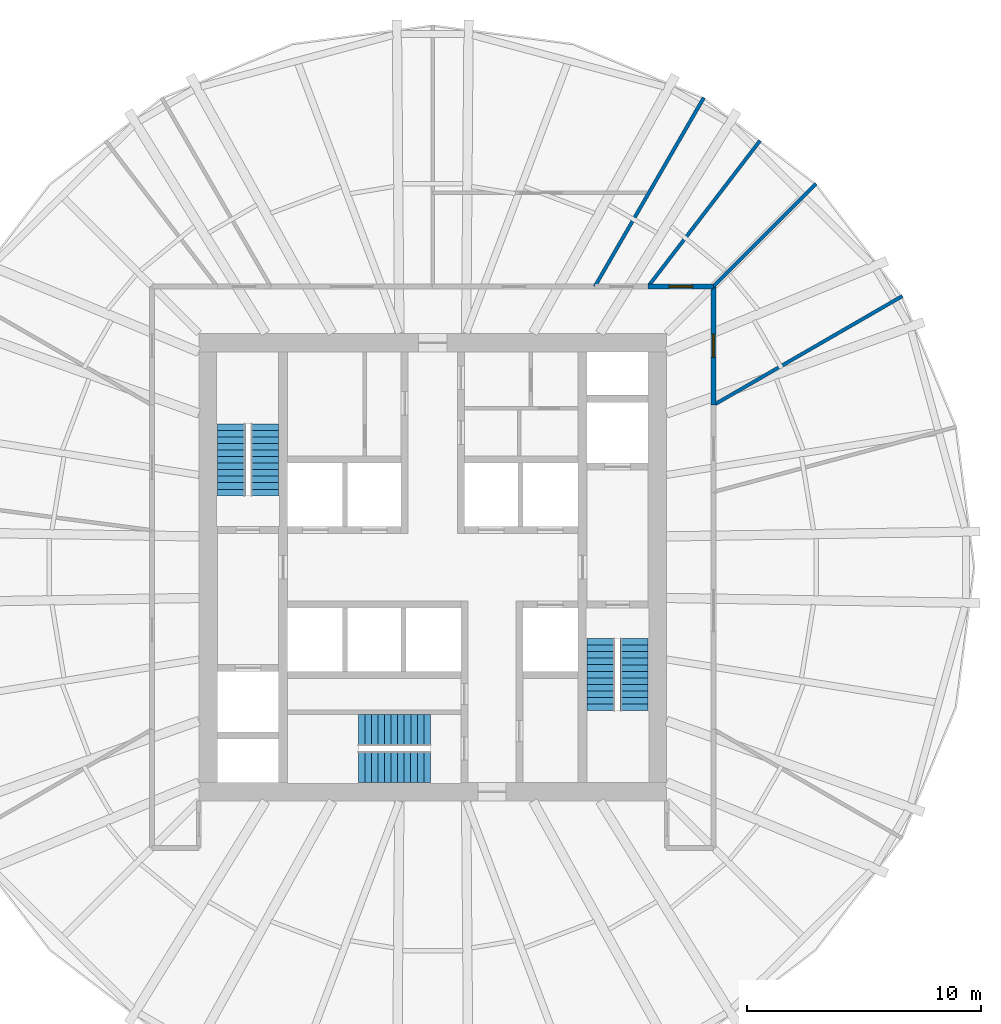
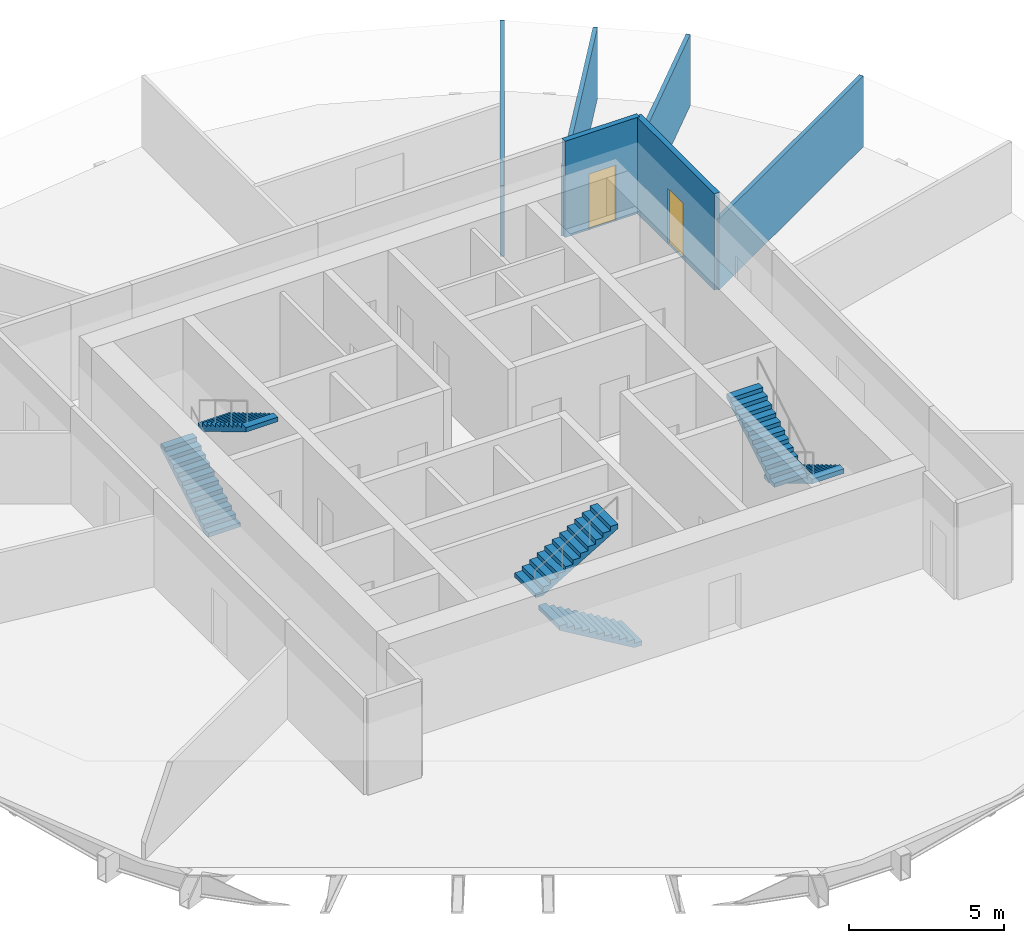
# One storey, part 5 of 6: 6 stair flights, 6 walls, 2 doors, 2 openings, 3 elements without a shape of their own.
"""IFC4 building model written with IfcOpenShell, lengths in metres."""

from ifc_helpers import new_model, si_unit, direction, frame, frame_2d, origin, place, context, subcontext, project, spatial, polyline, rectangle, outline, extrude, material, layer, layer_set, type_object, element, fill, aggregate, save


model = new_model("IFC4")

# Units and contexts
model_context = context("Model", 3, precision=1e-05, world=origin(), true_north=direction((0.0, 1.0)))
body_context = subcontext(model_context, "Body", "Model", "MODEL_VIEW")
ifc_project = project(units=[si_unit("LENGTHUNIT", "METRE"), si_unit("AREAUNIT", "SQUARE_METRE"), si_unit("VOLUMEUNIT", "CUBIC_METRE"), si_unit("PLANEANGLEUNIT", "RADIAN"), si_unit("MASSUNIT", "GRAM", prefix="KILO")], contexts=[model_context])

# Site, building, storey
site_placement = place(None, origin())
site = spatial("IfcSite", under=ifc_project, at=site_placement, CompositionType="ELEMENT")
building_placement = place(site_placement, origin())
building = spatial("IfcBuilding", under=site, at=building_placement, Name="Golbaran Civic Tower", CompositionType="ELEMENT")
storey_placement = place(building_placement, frame((0.0, 0.0, 49.0)))
storey = spatial("IfcBuildingStorey", under=building, at=storey_placement, Name="L11", CompositionType="ELEMENT", Elevation=49.0)

# Wall, opening, door
ifc_material_1 = material(Name="Gypsum board on steel studs, fire-rated", Category="steel")
ifc_layer_1 = layer(ifc_material_1, 0.199951171875, Name="Gypsum board on steel studs, fire-rated")
ifc_layer_set_1 = layer_set([ifc_layer_1], Name="Gypsum board on steel studs, fire-rated")
wall_type_1 = type_object("IfcWallType", Name="CORRIDOR WALL 200", PredefinedType="PARTITIONING", material=ifc_layer_set_1)
wall_1_placement = place(storey_placement, frame((12.0, 6.92822265625, 0.0), z_axis=(0.0, 0.0, 1.0), x_axis=(0.0, 1.0, 0.0)))
wall_1 = element("IfcWall", 1, at=wall_1_placement, inside=storey, type_object=wall_type_1, Name="Corridor wall L11", PredefinedType="PARTITIONING", context=body_context, shape_type="SweptSolid", body=[
    extrude(rectangle(XDim=5.07177734375, YDim=0.199951171875, at=frame_2d((2.535888671875, 0.0))), origin(), (0.0, 0.0, 1.0), 3.800048828125),
])
opening_1_placement = place(wall_1_placement, frame((2.035888671875, 0.0, 0.0)))
opening_1 = element("IfcOpeningElement", 2, at=opening_1_placement, cuts=wall_1, Name="Opening L11.05", PredefinedType="OPENING", context=body_context, shape_type="SweptSolid", body=[
    extrude(rectangle(XDim=1.0, YDim=2.199951171875, at=frame_2d((0.5, 1.10009765625))), frame((0.0, 0.10986328125, 0.0), z_axis=(0.0, -1.0, 0.0), x_axis=(1.0, 0.0, 0.0)), (0.0, 0.0, 1.0), 0.219970703125),
])
ifc_material_2 = material(Name="Timber door set in steel frame", Category="steel")
door_type = type_object("IfcDoorType", Name="OFFICE DOOR 1000x2200", OperationType="SINGLE_SWING_LEFT", PredefinedType="DOOR", material=ifc_material_2)
door_1_placement = place(opening_1_placement, origin())
door_1 = element("IfcDoor", 3, at=door_1_placement, inside=storey, type_object=door_type, Name="Pantry door L11", OperationType="SINGLE_SWING_LEFT", OverallHeight=2.199951171875, OverallWidth=1.0, PredefinedType="DOOR", context=body_context, shape_type="SweptSolid", body=[
    extrude(rectangle(XDim=1.0, YDim=2.199951171875, at=frame_2d((0.5, 1.10009765625))), frame((0.0, 0.02490234375, 0.0), z_axis=(0.0, -1.0, 0.0), x_axis=(1.0, 0.0, 0.0)), (0.0, 0.0, 1.0), 0.050048828125),
])
fill(opening_1, door_1)

wall_2_placement = place(storey_placement, frame((12.0, 12.0, 0.0), z_axis=(0.0, 0.0, 1.0), x_axis=(-1.0, 0.0, 0.0)))
wall_2 = element("IfcWall", 4, at=wall_2_placement, inside=storey, type_object=wall_type_1, Name="Corridor wall L11", PredefinedType="PARTITIONING", context=body_context, shape_type="SweptSolid", body=[
    extrude(rectangle(XDim=2.7919921875, YDim=0.199951171875, at=frame_2d((1.39599609375, 0.0))), origin(), (0.0, 0.0, 1.0), 3.800048828125),
])
opening_2_placement = place(wall_2_placement, frame((0.89599609375, 0.0, 0.0)))
opening_2 = element("IfcOpeningElement", 5, at=opening_2_placement, cuts=wall_2, Name="Opening L11.06", PredefinedType="OPENING", context=body_context, shape_type="SweptSolid", body=[
    extrude(rectangle(XDim=1.0, YDim=2.199951171875, at=frame_2d((0.5, 1.10009765625))), frame((0.0, 0.10986328125, 0.0), z_axis=(0.0, -1.0, 0.0), x_axis=(1.0, 0.0, 0.0)), (0.0, 0.0, 1.0), 0.219970703125),
])
door_2_placement = place(opening_2_placement, origin())
door_2 = element("IfcDoor", 6, at=door_2_placement, inside=storey, type_object=door_type, Name="Quiet Room door L11", OperationType="SINGLE_SWING_RIGHT", OverallHeight=2.199951171875, OverallWidth=1.0, PredefinedType="DOOR", context=body_context, shape_type="SweptSolid", body=[
    extrude(rectangle(XDim=1.0, YDim=2.199951171875, at=frame_2d((0.5, 1.10009765625))), frame((0.0, 0.02490234375, 0.0), z_axis=(0.0, -1.0, 0.0), x_axis=(1.0, 0.0, 0.0)), (0.0, 0.0, 1.0), 0.050048828125),
])
fill(opening_2, door_2)

# Walls
ifc_material_3 = material(Name="Gypsum board on steel studs", Category="steel")
ifc_layer_2 = layer(ifc_material_3, 0.14990234375, Name="Gypsum board on steel studs")
ifc_layer_set_2 = layer_set([ifc_layer_2], Name="Gypsum board on steel studs")
wall_type_2 = type_object("IfcWallType", Name="OFFICE PARTITION 150", PredefinedType="PARTITIONING", material=ifc_layer_set_2)
wall_3_placement = place(storey_placement, frame((12.0, 6.92822265625, 0.0), z_axis=(0.0, 0.0, 1.0), x_axis=(0.866028610261, 0.499994446179, 0.0)))
element("IfcWall", 7, at=wall_3_placement, inside=storey, type_object=wall_type_2, Name="Partition 30 L11", PredefinedType="PARTITIONING", context=body_context, shape_type="SweptSolid", body=[
    extrude(rectangle(XDim=9.32373046875, YDim=0.14990234375, at=frame_2d((4.661865234375, 0.0))), origin(), (0.0, 0.0, 1.0), 2.7900390625),
])
wall_4_placement = place(storey_placement, frame((12.0, 12.0, 0.0), z_axis=(0.0, 0.0, 1.0), x_axis=(0.707106781187, 0.707106781187, 0.0)))
element("IfcWall", 8, at=wall_4_placement, inside=storey, type_object=wall_type_2, Name="Partition 45 L11", PredefinedType="PARTITIONING", context=body_context, shape_type="SweptSolid", body=[
    extrude(rectangle(XDim=6.209716796875, YDim=0.14990234375, at=frame_2d((3.10498046875, 0.0))), origin(), (0.0, 0.0, 1.0), 2.7900390625),
])
wall_5_placement = place(storey_placement, frame((9.2080078125, 12.0, 0.0), z_axis=(0.0, 0.0, 1.0), x_axis=(0.60875965539, 0.793354701233, 0.0)))
element("IfcWall", 9, at=wall_5_placement, inside=storey, type_object=wall_type_2, Name="Partition 52.5 L11", PredefinedType="PARTITIONING", context=body_context, shape_type="SweptSolid", body=[
    extrude(rectangle(XDim=7.856201171875, YDim=0.14990234375, at=frame_2d((3.92822265625, 0.0))), origin(), (0.0, 0.0, 1.0), 2.7900390625),
])
wall_6_placement = place(storey_placement, frame((6.92822265625, 12.0, 0.0), z_axis=(0.0, 0.0, 1.0), x_axis=(0.499994446179, 0.866028610261, 0.0)))
element("IfcWall", 10, at=wall_6_placement, inside=storey, type_object=wall_type_2, Name="Partition 60 L11", PredefinedType="PARTITIONING", context=body_context, shape_type="SweptSolid", body=[
    extrude(rectangle(XDim=9.32373046875, YDim=0.14990234375, at=frame_2d((4.661865234375, 0.0))), origin(), (0.0, 0.0, 1.0), 2.7900390625),
])

# Stair, stair flights
ifc_material_4 = material(Name="Concrete C35/45", Category="concrete")
stair_type_1 = type_object("IfcStairType", Name="EXIT STAIR 2600 x 7450, 4000 RISE", PredefinedType="HALF_TURN_STAIR", material=ifc_material_4)
stair_1_placement = place(storey_placement, origin())
stair_1 = element("IfcStair", 11, at=stair_1_placement, inside=storey, type_object=stair_type_1, Name="Stair S1 L11", PredefinedType="HALF_TURN_STAIR")
stair_flight_type_1 = type_object("IfcStairFlightType", Name="STAIR FLIGHT 1200 WIDE", PredefinedType="STRAIGHT", material=ifc_material_4)
stair_flight_1_placement = place(storey_placement, frame((-8.60009765625, 3.050048828125, 0.0), z_axis=(0.0, 0.0, 1.0), x_axis=(0.0, 1.0, 0.0)))
stair_flight_1 = element("IfcStairFlight", 12, at=stair_flight_1_placement, type_object=stair_flight_type_1, Name="ST26074-40 flight 1", NumberOfRisers=12, NumberOfTreads=11, PredefinedType="STRAIGHT", RiserHeight=0.166666667, TreadLength=0.28, context=body_context, shape_type="SweptSolid", body=[
    extrude(outline(polyline([(0.0, 0.0), (0.0, 0.166748046875), (0.280029296875, 0.166748046875), (0.280029296875, 0.333251953125), (0.56005859375, 0.333251953125), (0.56005859375, 0.5), (0.840087890625, 0.5), (0.840087890625, 0.666748046875), (1.1201171875, 0.666748046875), (1.1201171875, 0.833251953125), (1.39990234375, 0.833251953125), (1.39990234375, 1.0), (1.679931640625, 1.0), (1.679931640625, 1.166748046875), (1.9599609375, 1.166748046875), (1.9599609375, 1.333251953125), (2.239990234375, 1.333251953125), (2.239990234375, 1.5), (2.52001953125, 1.5), (2.52001953125, 1.666748046875), (2.800048828125, 1.666748046875), (2.800048828125, 1.833251953125), (3.080078125, 1.833251953125), (3.080078125, 2.0), (3.080078125, 1.658935546875), (0.29296875, 0.0), (0.0, 0.0)])), frame((0.0, 0.60009765625, 0.0), z_axis=(0.0, -1.0, 0.0), x_axis=(1.0, 0.0, 0.0)), (0.0, 0.0, 1.0), 1.199951171875),
])
stair_flight_2_placement = place(storey_placement, frame((-7.199951171875, 6.1298828125, 2.0), z_axis=(0.0, 0.0, 1.0), x_axis=(0.0, -1.0, 0.0)))
stair_flight_2 = element("IfcStairFlight", 13, at=stair_flight_2_placement, type_object=stair_flight_type_1, Name="ST26074-40 flight 2", NumberOfRisers=12, NumberOfTreads=11, PredefinedType="STRAIGHT", RiserHeight=0.166666667, TreadLength=0.28, context=body_context, shape_type="SweptSolid", body=[
    extrude(outline(polyline([(0.0, 0.0), (0.0, 0.166748046875), (0.280029296875, 0.166748046875), (0.280029296875, 0.333251953125), (0.56005859375, 0.333251953125), (0.56005859375, 0.5), (0.840087890625, 0.5), (0.840087890625, 0.666748046875), (1.1201171875, 0.666748046875), (1.1201171875, 0.833251953125), (1.39990234375, 0.833251953125), (1.39990234375, 1.0), (1.679931640625, 1.0), (1.679931640625, 1.166748046875), (1.9599609375, 1.166748046875), (1.9599609375, 1.333251953125), (2.239990234375, 1.333251953125), (2.239990234375, 1.5), (2.52001953125, 1.5), (2.52001953125, 1.666748046875), (2.800048828125, 1.666748046875), (2.800048828125, 1.833251953125), (3.080078125, 1.833251953125), (3.080078125, 2.0), (3.080078125, 1.658935546875), (0.29296875, 0.0), (0.0, 0.0)])), frame((0.0, 0.60009765625, 0.0), z_axis=(0.0, -1.0, 0.0), x_axis=(1.0, 0.0, 0.0)), (0.0, 0.0, 1.0), 1.199951171875),
])
aggregate(stair_1, [stair_flight_1, stair_flight_2])

stair_2_placement = place(storey_placement, origin())
stair_2 = element("IfcStair", 14, at=stair_2_placement, inside=storey, type_object=stair_type_1, Name="Stair S2 L11", PredefinedType="HALF_TURN_STAIR")
stair_flight_3_placement = place(storey_placement, frame((8.60009765625, -3.050048828125, 0.0), z_axis=(0.0, 0.0, 1.0), x_axis=(0.0, -1.0, 0.0)))
stair_flight_3 = element("IfcStairFlight", 15, at=stair_flight_3_placement, type_object=stair_flight_type_1, Name="ST26074-40 flight 1", NumberOfRisers=12, NumberOfTreads=11, PredefinedType="STRAIGHT", RiserHeight=0.166666667, TreadLength=0.28, context=body_context, shape_type="SweptSolid", body=[
    extrude(outline(polyline([(0.0, 0.0), (0.0, 0.166748046875), (0.280029296875, 0.166748046875), (0.280029296875, 0.333251953125), (0.56005859375, 0.333251953125), (0.56005859375, 0.5), (0.840087890625, 0.5), (0.840087890625, 0.666748046875), (1.1201171875, 0.666748046875), (1.1201171875, 0.833251953125), (1.39990234375, 0.833251953125), (1.39990234375, 1.0), (1.679931640625, 1.0), (1.679931640625, 1.166748046875), (1.9599609375, 1.166748046875), (1.9599609375, 1.333251953125), (2.239990234375, 1.333251953125), (2.239990234375, 1.5), (2.52001953125, 1.5), (2.52001953125, 1.666748046875), (2.800048828125, 1.666748046875), (2.800048828125, 1.833251953125), (3.080078125, 1.833251953125), (3.080078125, 2.0), (3.080078125, 1.658935546875), (0.29296875, 0.0), (0.0, 0.0)])), frame((0.0, 0.60009765625, 0.0), z_axis=(0.0, -1.0, 0.0), x_axis=(1.0, 0.0, 0.0)), (0.0, 0.0, 1.0), 1.199951171875),
])
stair_flight_4_placement = place(storey_placement, frame((7.199951171875, -6.1298828125, 2.0), z_axis=(0.0, 0.0, 1.0), x_axis=(0.0, 1.0, 0.0)))
stair_flight_4 = element("IfcStairFlight", 16, at=stair_flight_4_placement, type_object=stair_flight_type_1, Name="ST26074-40 flight 2", NumberOfRisers=12, NumberOfTreads=11, PredefinedType="STRAIGHT", RiserHeight=0.166666667, TreadLength=0.28, context=body_context, shape_type="SweptSolid", body=[
    extrude(outline(polyline([(0.0, 0.0), (0.0, 0.166748046875), (0.280029296875, 0.166748046875), (0.280029296875, 0.333251953125), (0.56005859375, 0.333251953125), (0.56005859375, 0.5), (0.840087890625, 0.5), (0.840087890625, 0.666748046875), (1.1201171875, 0.666748046875), (1.1201171875, 0.833251953125), (1.39990234375, 0.833251953125), (1.39990234375, 1.0), (1.679931640625, 1.0), (1.679931640625, 1.166748046875), (1.9599609375, 1.166748046875), (1.9599609375, 1.333251953125), (2.239990234375, 1.333251953125), (2.239990234375, 1.5), (2.52001953125, 1.5), (2.52001953125, 1.666748046875), (2.800048828125, 1.666748046875), (2.800048828125, 1.833251953125), (3.080078125, 1.833251953125), (3.080078125, 2.0), (3.080078125, 1.658935546875), (0.29296875, 0.0), (0.0, 0.0)])), frame((0.0, 0.60009765625, 0.0), z_axis=(0.0, -1.0, 0.0), x_axis=(1.0, 0.0, 0.0)), (0.0, 0.0, 1.0), 1.199951171875),
])
aggregate(stair_2, [stair_flight_3, stair_flight_4])

stair_type_2 = type_object("IfcStairType", Name="EXIT STAIR 2900 x 7400, 4000 RISE", PredefinedType="HALF_TURN_STAIR", material=ifc_material_4)
stair_3_placement = place(storey_placement, origin())
stair_3 = element("IfcStair", 17, at=stair_3_placement, inside=storey, type_object=stair_type_2, Name="Stair S3 L11", PredefinedType="HALF_TURN_STAIR")
stair_flight_type_2 = type_object("IfcStairFlightType", Name="STAIR FLIGHT 1350 WIDE", PredefinedType="STRAIGHT", material=ifc_material_4)
stair_flight_5_placement = place(storey_placement, frame((-0.10009765625, -8.52490234375, 0.0), z_axis=(0.0, 0.0, 1.0), x_axis=(-1.0, 0.0, 0.0)))
stair_flight_5 = element("IfcStairFlight", 18, at=stair_flight_5_placement, type_object=stair_flight_type_2, Name="ST29074-40 flight 1", NumberOfRisers=12, NumberOfTreads=11, PredefinedType="STRAIGHT", RiserHeight=0.166666667, TreadLength=0.28, context=body_context, shape_type="SweptSolid", body=[
    extrude(outline(polyline([(0.0, 0.0), (0.0, 0.166748046875), (0.280029296875, 0.166748046875), (0.280029296875, 0.333251953125), (0.56005859375, 0.333251953125), (0.56005859375, 0.5), (0.840087890625, 0.5), (0.840087890625, 0.666748046875), (1.1201171875, 0.666748046875), (1.1201171875, 0.833251953125), (1.39990234375, 0.833251953125), (1.39990234375, 1.0), (1.679931640625, 1.0), (1.679931640625, 1.166748046875), (1.9599609375, 1.166748046875), (1.9599609375, 1.333251953125), (2.239990234375, 1.333251953125), (2.239990234375, 1.5), (2.52001953125, 1.5), (2.52001953125, 1.666748046875), (2.800048828125, 1.666748046875), (2.800048828125, 1.833251953125), (3.080078125, 1.833251953125), (3.080078125, 2.0), (3.080078125, 1.658935546875), (0.29296875, 0.0), (0.0, 0.0)])), frame((0.0, 0.675048828125, 0.0), z_axis=(0.0, -1.0, 0.0), x_axis=(1.0, 0.0, 0.0)), (0.0, 0.0, 1.0), 1.35009765625),
])
stair_flight_6_placement = place(storey_placement, frame((-3.179931640625, -6.97509765625, 2.0), z_axis=(0.0, 0.0, 1.0), x_axis=(1.0, 0.0, 0.0)))
stair_flight_6 = element("IfcStairFlight", 19, at=stair_flight_6_placement, type_object=stair_flight_type_2, Name="ST29074-40 flight 2", NumberOfRisers=12, NumberOfTreads=11, PredefinedType="STRAIGHT", RiserHeight=0.166666667, TreadLength=0.28, context=body_context, shape_type="SweptSolid", body=[
    extrude(outline(polyline([(0.0, 0.0), (0.0, 0.166748046875), (0.280029296875, 0.166748046875), (0.280029296875, 0.333251953125), (0.56005859375, 0.333251953125), (0.56005859375, 0.5), (0.840087890625, 0.5), (0.840087890625, 0.666748046875), (1.1201171875, 0.666748046875), (1.1201171875, 0.833251953125), (1.39990234375, 0.833251953125), (1.39990234375, 1.0), (1.679931640625, 1.0), (1.679931640625, 1.166748046875), (1.9599609375, 1.166748046875), (1.9599609375, 1.333251953125), (2.239990234375, 1.333251953125), (2.239990234375, 1.5), (2.52001953125, 1.5), (2.52001953125, 1.666748046875), (2.800048828125, 1.666748046875), (2.800048828125, 1.833251953125), (3.080078125, 1.833251953125), (3.080078125, 2.0), (3.080078125, 1.658935546875), (0.29296875, 0.0), (0.0, 0.0)])), frame((0.0, 0.675048828125, 0.0), z_axis=(0.0, -1.0, 0.0), x_axis=(1.0, 0.0, 0.0)), (0.0, 0.0, 1.0), 1.35009765625),
])
aggregate(stair_3, [stair_flight_5, stair_flight_6])

save(model, "model.ifc")
